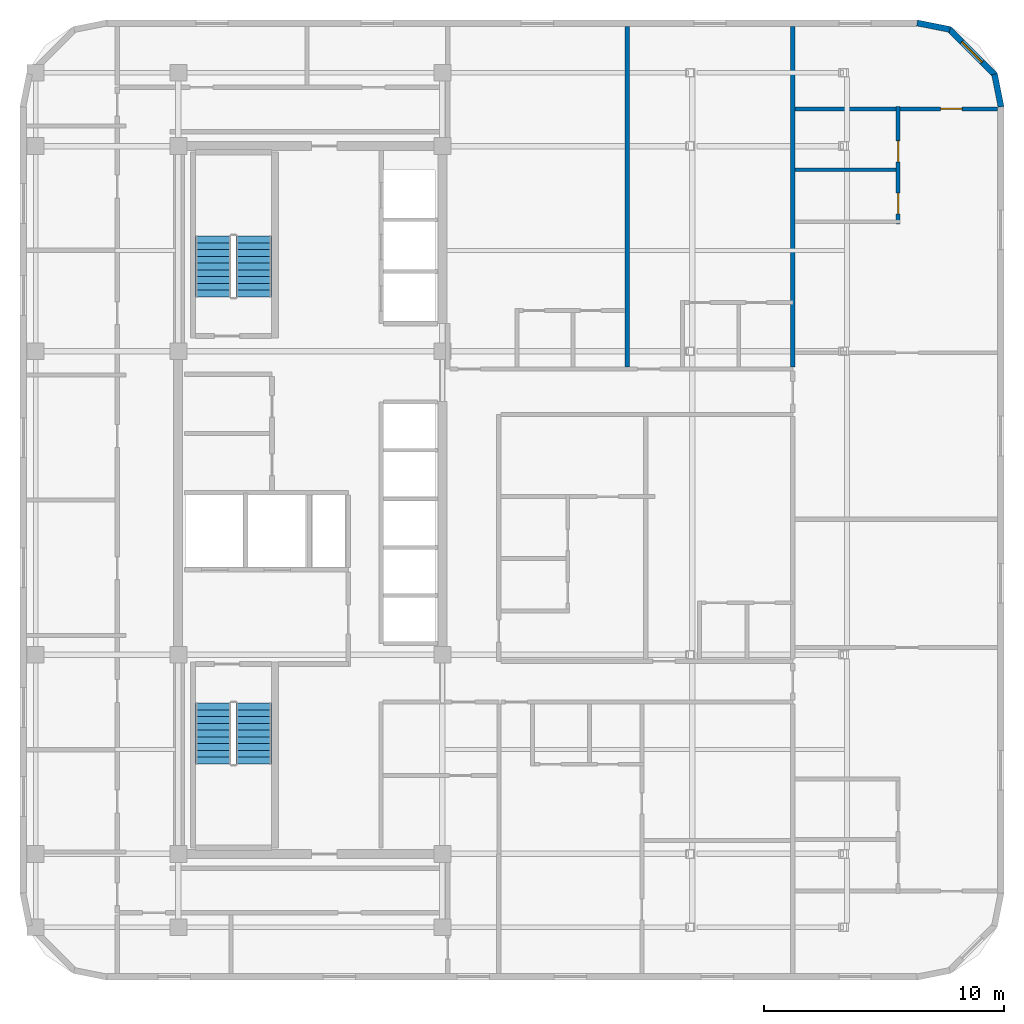
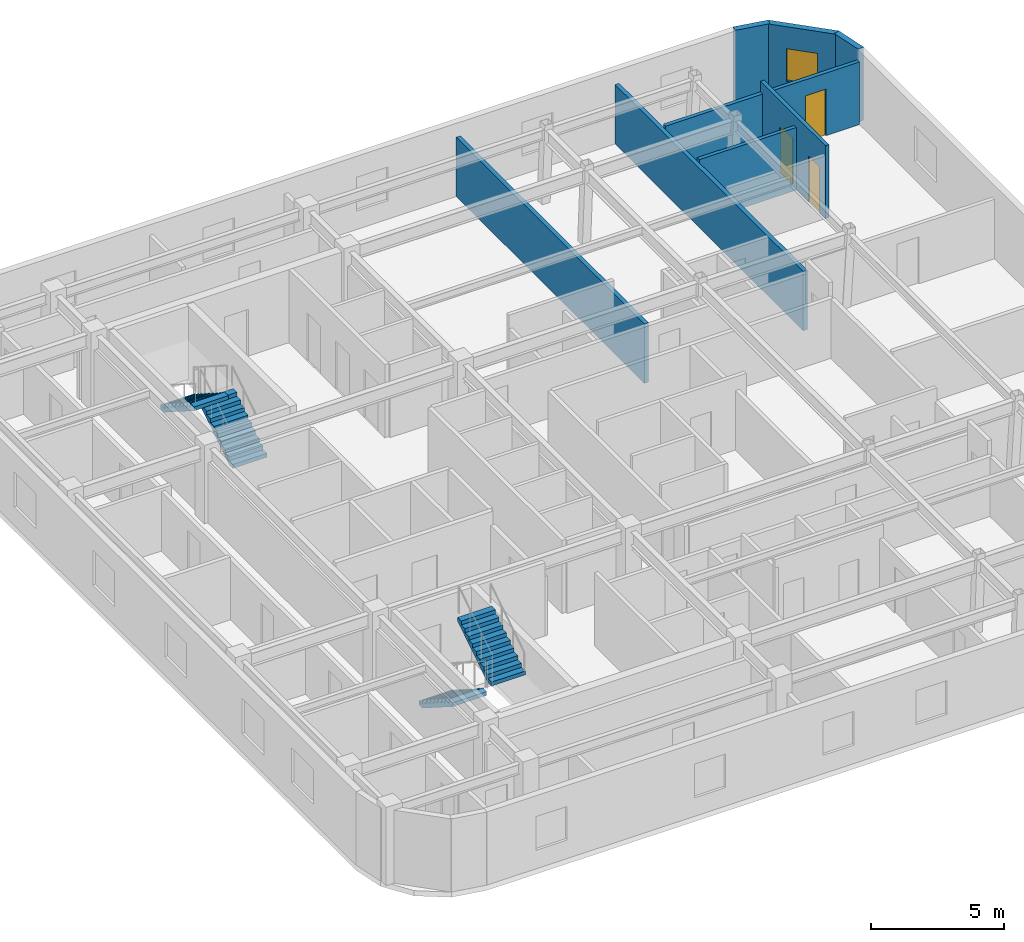
# One storey, part 7 of 8: 8 walls, 4 stair flights, 3 doors, 1 window, 4 openings, 2 elements without a shape of their own.
"""IFC4 building model written with IfcOpenShell, lengths in metres."""

import ifcopenshell
import ifcopenshell.guid

model = None  # the IFC model being written
_history = None  # IfcOwnerHistory: only IFC2X3 demands one
_inside = {}  # id of a spatial element -> (the spatial element, [elements in it])
_under = {}  # id of a project, library or spatial element -> (it, [spatial elements below it])
_declared = {}  # id of a project -> (the project, [libraries it declares])
_typed = {}  # id of a type object -> (the type object, [elements of that type])
_made_of = {}  # id of a material, layer set ... -> (it, [elements and type objects made of it])


def new_model(schema):
    """Start an empty IFC model of exactly this schema.

    Asked for "IFC4X3", IfcOpenShell would pick the latest addendum, in which some entities
    have other attributes; the version numbers below select the first issue.
    IFC2X3 requires an IfcOwnerHistory on every rooted entity: one is made here for all.
    """
    global model, _history
    if schema == "IFC4X3":
        model = ifcopenshell.file(schema_version=(4, 3, 0, 0))
    else:
        model = ifcopenshell.file(schema=schema)
    _inside.clear()
    _under.clear()
    _declared.clear()
    _typed.clear()
    _made_of.clear()
    _history = None
    if model.schema == "IFC2X3":
        org = make("IfcOrganization", Name="unknown")
        user = make(
            "IfcPersonAndOrganization",
            ThePerson=make("IfcPerson", FamilyName="unknown"),
            TheOrganization=org,
        )
        app = make(
            "IfcApplication",
            ApplicationDeveloper=org,
            Version="unknown",
            ApplicationFullName="unknown",
            ApplicationIdentifier="unknown",
        )
        _history = make(
            "IfcOwnerHistory",
            OwningUser=user,
            OwningApplication=app,
            ChangeAction="ADDED",
            CreationDate=0,
        )
    return model


def make(cls, **values):
    """One entity of the class cls with the attributes given. An attribute that is None is left unset."""
    return model.create_entity(
        cls, **{name: value for name, value in values.items() if value is not None}
    )


def rooted(cls, **values):
    """An entity with a GlobalId (a new one), such as an element, a storey or a relation."""
    return make(cls, GlobalId=ifcopenshell.guid.new(), OwnerHistory=_history, **values)


def si_unit(unit_type, name, prefix=None):
    """IfcSIUnit, for example si_unit("LENGTHUNIT", "METRE", prefix="MILLI")."""
    return make("IfcSIUnit", UnitType=unit_type, Prefix=prefix, Name=name)


def assignment(units):
    """IfcUnitAssignment: the units of a project."""
    return None if units is None else make("IfcUnitAssignment", Units=units)


def point(xyz):
    """IfcCartesianPoint."""
    return None if xyz is None else make("IfcCartesianPoint", Coordinates=xyz)


def direction(xyz):
    """IfcDirection."""
    return None if xyz is None else make("IfcDirection", DirectionRatios=xyz)


def frame(location, z_axis=None, x_axis=None):
    """IfcAxis2Placement3D, a coordinate frame: its origin and axes. An axis left out is left unset."""
    return make(
        "IfcAxis2Placement3D",
        Location=point(location),
        Axis=direction(z_axis),
        RefDirection=direction(x_axis),
    )


def frame_2d(location, x_axis=None):
    """IfcAxis2Placement2D, a coordinate frame in the plane: its origin and x axis."""
    return make(
        "IfcAxis2Placement2D", Location=point(location), RefDirection=direction(x_axis)
    )


def origin():
    """The frame at (0, 0, 0) with its axes left unset."""
    return frame((0.0, 0.0, 0.0))


def place(relative_to, where):
    """IfcLocalPlacement: puts the frame where relative to a parent placement (None: the world)."""
    return make(
        "IfcLocalPlacement", PlacementRelTo=relative_to, RelativePlacement=where
    )


def context(
    kind, dimensions, precision=None, world=None, true_north=None, identifier=None
):
    """IfcGeometricRepresentationContext, for example the 3D "Model" context."""
    return make(
        "IfcGeometricRepresentationContext",
        ContextIdentifier=identifier,
        ContextType=kind,
        CoordinateSpaceDimension=dimensions,
        Precision=precision,
        WorldCoordinateSystem=world,
        TrueNorth=true_north,
    )


def subcontext(parent, identifier, kind, view, scale=None):
    """IfcGeometricRepresentationSubContext, for example "Body" below "Model"."""
    return make(
        "IfcGeometricRepresentationSubContext",
        ContextIdentifier=identifier,
        ContextType=kind,
        ParentContext=parent,
        TargetScale=scale,
        TargetView=view,
    )


def project(units=None, contexts=None):
    """IfcProject with its units and contexts."""
    return rooted(
        "IfcProject",
        Name="project",
        RepresentationContexts=contexts,
        UnitsInContext=assignment(units),
    )


def spatial(cls, under=None, at=None, **own):
    """A site, building, storey or space (cls), placed at a placement, below another one or the project."""
    s = rooted(cls, ObjectPlacement=at, **own)
    if under is not None:
        _under.setdefault(under.id(), (under, []))[1].append(s)
    return s


def polyline(points):
    """IfcPolyline through the points."""
    return make("IfcPolyline", Points=[point(p) for p in points])


def profile(cls, at=None, kind="AREA", **sizes):
    """A parametric profile (cls). Its sizes go by their IFC names, for example OverallWidth=200.0."""
    return make(cls, ProfileType=kind, Position=at, **sizes)


def rectangle(**sizes):
    """IfcRectangleProfileDef."""
    return profile("IfcRectangleProfileDef", **sizes)


def outline(outer, holes=None, kind="AREA"):
    """IfcArbitraryClosedProfileDef: a profile drawn as a closed curve; with holes, ...WithVoids."""
    if holes is None:
        return make("IfcArbitraryClosedProfileDef", ProfileType=kind, OuterCurve=outer)
    return make(
        "IfcArbitraryProfileDefWithVoids",
        ProfileType=kind,
        OuterCurve=outer,
        InnerCurves=holes,
    )


def extrude(swept, where, along, depth):
    """IfcExtrudedAreaSolid: the profile swept, set in the frame where, extruded along a direction by depth."""
    return make(
        "IfcExtrudedAreaSolid",
        SweptArea=swept,
        Position=where,
        ExtrudedDirection=direction(along),
        Depth=depth,
    )


def shape(context_of_items, identifier, shape_type, items):
    """IfcShapeRepresentation: the items that make up one representation, for example the "Body"."""
    return make(
        "IfcShapeRepresentation",
        ContextOfItems=context_of_items,
        RepresentationIdentifier=identifier,
        RepresentationType=shape_type,
        Items=items,
    )


def material(Name=None, Category=None):
    """IfcMaterial."""
    return make("IfcMaterial", Name=Name, Category=Category)


def layer(
    of_material, thickness, ventilated=None, Name=None, Category=None, Priority=None
):
    """IfcMaterialLayer: one layer of a wall or slab, of a material (None: an air gap)."""
    return make(
        "IfcMaterialLayer",
        Material=of_material,
        LayerThickness=thickness,
        IsVentilated=ventilated,
        Name=Name,
        Category=Category,
        Priority=Priority,
    )


def layer_set(layers, Name=None):
    """IfcMaterialLayerSet."""
    return make("IfcMaterialLayerSet", MaterialLayers=layers, LayerSetName=Name)


def made_of(thing, what):
    """Note that an element or type object is made of a material, layer set ...; save() writes the relation."""
    if what is not None:
        _made_of.setdefault(what.id(), (what, []))[1].append(thing)
    return thing


def type_object(cls, material=None, **own):
    """A type object (cls), such as IfcWallType, which elements share."""
    return made_of(rooted(cls, **own), material)


def element(
    cls,
    number,
    at=None,
    inside=None,
    cuts=None,
    type_object=None,
    material=None,
    context=None,
    identifier="Body",
    shape_type=None,
    held_by="IfcProductDefinitionShape",
    body=None,
    shapes=None,
    **own,
):
    """One element of the class cls, such as IfcWall. Its Tag is "e" and its number.

    at: its placement. inside: the storey or other place that contains it. cuts: it is an
    opening in that element (IfcRelVoidsElement). A single representation is given by context,
    identifier, shape_type and body (its items); several are given by shapes. held_by: the class
    of the entity that holds the representations. save() writes the other relations.
    """
    e = rooted(cls, Tag="e%d" % number, ObjectPlacement=at, **own)
    if body is not None:
        shapes = [shape(context, identifier, shape_type, body)]
    if shapes is not None:
        e.Representation = make(held_by, Representations=shapes)
    if inside is not None:
        _inside.setdefault(inside.id(), (inside, []))[1].append(e)
    if cuts is not None:
        rooted(
            "IfcRelVoidsElement", RelatingBuildingElement=cuts, RelatedOpeningElement=e
        )
    if type_object is not None:
        _typed.setdefault(type_object.id(), (type_object, []))[1].append(e)
    return made_of(e, material)


def fill(opening, filler):
    """IfcRelFillsElement: the door or window that sits in an opening."""
    return rooted(
        "IfcRelFillsElement",
        RelatingOpeningElement=opening,
        RelatedBuildingElement=filler,
    )


def aggregate(whole, parts):
    """IfcRelAggregates: a whole, such as a stair, and the parts it consists of."""
    return rooted("IfcRelAggregates", RelatingObject=whole, RelatedObjects=parts)


def save(model, path):
    """Write the relations noted so far, then the file.

    IfcRelAggregates (storeys below a building ...), IfcRelContainedInSpatialStructure (elements
    in a storey), IfcRelDefinesByType, IfcRelAssociatesMaterial and IfcRelDeclares: one each for
    every whole, place, type object, material and project.
    """
    for whole, parts in _under.values():
        aggregate(whole, parts)
    for where, things in _inside.values():
        rooted(
            "IfcRelContainedInSpatialStructure",
            RelatedElements=things,
            RelatingStructure=where,
        )
    for kind, things in _typed.values():
        rooted("IfcRelDefinesByType", RelatedObjects=things, RelatingType=kind)
    for what, things in _made_of.values():
        rooted("IfcRelAssociatesMaterial", RelatedObjects=things, RelatingMaterial=what)
    for by, libraries in _declared.values():
        rooted("IfcRelDeclares", RelatingContext=by, RelatedDefinitions=libraries)
    model.write(path)


model = new_model("IFC4")

# Units and contexts
model_context = context("Model", 3, precision=1e-05, world=origin(), true_north=direction((0.0, 1.0)))
body_context = subcontext(model_context, "Body", "Model", "MODEL_VIEW")
ifc_project = project(units=[si_unit("LENGTHUNIT", "METRE"), si_unit("AREAUNIT", "SQUARE_METRE"), si_unit("VOLUMEUNIT", "CUBIC_METRE"), si_unit("PLANEANGLEUNIT", "RADIAN"), si_unit("MASSUNIT", "GRAM", prefix="KILO")], contexts=[model_context])

# Site, building, storey
site_placement = place(None, origin())
site = spatial("IfcSite", under=ifc_project, at=site_placement, CompositionType="ELEMENT")
building_placement = place(site_placement, origin())
building = spatial("IfcBuilding", under=site, at=building_placement, Name="Ochreholt Gables", CompositionType="ELEMENT")
storey_placement = place(building_placement, frame((0.0, 0.0, 159.0)))
storey = spatial("IfcBuildingStorey", under=building, at=storey_placement, Name="L41", CompositionType="ELEMENT", Elevation=159.0)

# Wall
ifc_material_1 = material(Name="Precast concrete 40 MPa", Category="concrete")
ifc_layer_1 = layer(ifc_material_1, 0.25, Name="Precast concrete 40 MPa")
ifc_layer_set_1 = layer_set([ifc_layer_1], Name="Precast concrete 40 MPa")
wall_type_1 = type_object("IfcWallType", Name="WALL-EXT-CNR", PredefinedType="SOLIDWALL", material=ifc_layer_set_1)
wall_1_placement = place(storey_placement, frame((58.475830078125, 40.383544921875, 0.0), z_axis=(0.0, 0.0, 1.0), x_axis=(-0.19496651342, 0.980809899341, 0.0)))
element("IfcWall", 1, at=wall_1_placement, inside=storey, type_object=wall_type_1, Name="L41 Rounded Corner Wall NE-1", PredefinedType="SOLIDWALL", context=body_context, shape_type="SweptSolid", body=[
    extrude(rectangle(XDim=1.388671875, YDim=0.25, at=frame_2d((0.6943359375, 0.0))), origin(), (0.0, 0.0, 1.0), 3.360107421875),
])

# Wall, opening, window
wall_2_placement = place(storey_placement, frame((58.23193359375, 41.695068359375, 0.0), z_axis=(0.0, 0.0, 1.0), x_axis=(-0.707106781187, 0.707106781187, 0.0)))
wall_2 = element("IfcWall", 2, at=wall_2_placement, inside=storey, type_object=wall_type_1, Name="L41 Rounded Corner Wall NE-2", PredefinedType="SOLIDWALL", context=body_context, shape_type="SweptSolid", body=[
    extrude(rectangle(XDim=2.7392578125, YDim=0.25, at=frame_2d((1.36962890625, 0.0))), origin(), (0.0, 0.0, 1.0), 3.360107421875),
])
opening_1_placement = place(wall_2_placement, frame((0.769775390625, 0.0, 0.85009765625)))
opening_1 = element("IfcOpeningElement", 3, at=opening_1_placement, cuts=wall_2, Name="Opening WN-3", PredefinedType="OPENING", context=body_context, shape_type="SweptSolid", body=[
    extrude(rectangle(XDim=1.199951171875, YDim=1.5, at=frame_2d((0.60009765625, 0.75))), frame((0.0, 0.135009765625, 0.0), z_axis=(0.0, -1.0, 0.0), x_axis=(1.0, 0.0, 0.0)), (0.0, 0.0, 1.0), 0.27001953125),
])
ifc_material_2 = material(Name="Triple-Glazed Thermally Broken Aluminium Window", Category="aluminium")
window_type = type_object("IfcWindowType", Name="WIN-RES-1200", PartitioningType="SINGLE_PANEL", PredefinedType="WINDOW", material=ifc_material_2)
window_placement = place(opening_1_placement, origin())
window = element("IfcWindow", 4, at=window_placement, inside=storey, type_object=window_type, Name="L41 Corner Bedroom Window NE", OverallHeight=1.5, OverallWidth=1.199951171875, PartitioningType="SINGLE_PANEL", PredefinedType="WINDOW", context=body_context, shape_type="SweptSolid", body=[
    extrude(rectangle(XDim=1.199951171875, YDim=1.5, at=frame_2d((0.60009765625, 0.75))), frame((0.0, 0.030029296875, 0.0), z_axis=(0.0, -1.0, 0.0), x_axis=(1.0, 0.0, 0.0)), (0.0, 0.0, 1.0), 0.06005859375),
])
fill(opening_1, window)

# Walls
wall_3_placement = place(storey_placement, frame((56.345458984375, 43.60498046875, 0.0), z_axis=(0.0, 0.0, 1.0), x_axis=(-0.980809899341, 0.19496651342, 0.0)))
element("IfcWall", 5, at=wall_3_placement, inside=storey, type_object=wall_type_1, Name="L41 Rounded Corner Wall NE-3", PredefinedType="SOLIDWALL", context=body_context, shape_type="SweptSolid", body=[
    extrude(rectangle(XDim=1.388671875, YDim=0.25, at=frame_2d((0.6943359375, 0.0))), origin(), (0.0, 0.0, 1.0), 3.360107421875),
])
ifc_material_3 = material(Name="Double-Stud Acoustic Demising Wall", Category="gypsum")
ifc_layer_2 = layer(ifc_material_3, 0.179931640625, Name="Double-Stud Acoustic Demising Wall")
ifc_layer_set_2 = layer_set([ifc_layer_2], Name="Double-Stud Acoustic Demising Wall")
wall_type_2 = type_object("IfcWallType", Name="WALL-INT-DM180", PredefinedType="PARTITIONING", material=ifc_layer_set_2)
for number, where, z_axis, x_axis, name in (
    (6, (42.897705078125, 29.550048828125, 0.0), (0.0, 0.0, 1.0), (0.0, 1.0, 0.0), "L41 Interior Wall WI-C2UDN-L41"),
    (7, (49.800048828125, 29.550048828125, 0.0), (0.0, 0.0, 1.0), (0.0, 1.0, 0.0), "L41 Interior Wall WI-C2FEW3-L41"),
):
    element("IfcWall", number, at=place(storey_placement, frame(where, z_axis=z_axis, x_axis=x_axis)), inside=storey, type_object=wall_type_2, Name=name, PredefinedType="PARTITIONING", context=body_context, shape_type="SweptSolid", body=[
        extrude(rectangle(XDim=14.169921875, YDim=0.179931640625, at=frame_2d((7.0849609375, 0.0))), origin(), (0.0, 0.0, 1.0), 2.72998046875),
    ])

# Wall, openings, doors
ifc_material_4 = material(Name="Moisture-Resistant Plumbing Chase Wall", Category="gypsum")
ifc_layer_3 = layer(ifc_material_4, 0.159912109375, Name="Moisture-Resistant Plumbing Chase Wall")
ifc_layer_set_3 = layer_set([ifc_layer_3], Name="Moisture-Resistant Plumbing Chase Wall")
wall_type_3 = type_object("IfcWallType", Name="WALL-INT-PL160", PredefinedType="PLUMBINGWALL", material=ifc_layer_set_3)
wall_4_placement = place(storey_placement, frame((54.18994140625, 35.5029296875, 0.0), z_axis=(0.0, 0.0, 1.0), x_axis=(0.0, 1.0, 0.0)))
wall_4 = element("IfcWall", 8, at=wall_4_placement, inside=storey, type_object=wall_type_3, Name="L41 Interior Wall WU-L41FEN-WX", PredefinedType="PLUMBINGWALL", context=body_context, shape_type="SweptSolid", body=[
    extrude(rectangle(XDim=4.886962890625, YDim=0.159912109375, at=frame_2d((2.443359375, 0.0))), origin(), (0.0, 0.0, 1.0), 3.360107421875),
])
opening_2_placement = place(wall_4_placement, frame((0.419921875, 0.0, 0.0)))
opening_2 = element("IfcOpeningElement", 9, at=opening_2_placement, cuts=wall_4, Name="Opening D-BT1", PredefinedType="OPENING", context=body_context, shape_type="SweptSolid", body=[
    extrude(rectangle(XDim=0.860107421875, YDim=2.1201171875, at=frame_2d((0.43017578125, 1.06005859375))), frame((0.0, 0.08984375, 0.0), z_axis=(0.0, -1.0, 0.0), x_axis=(1.0, 0.0, 0.0)), (0.0, 0.0, 1.0), 0.179931640625),
])
opening_3_placement = place(wall_4_placement, frame((2.585205078125, 0.0, 0.0)))
opening_3 = element("IfcOpeningElement", 10, at=opening_3_placement, cuts=wall_4, Name="Opening D-GN2", PredefinedType="OPENING", context=body_context, shape_type="SweptSolid", body=[
    extrude(rectangle(XDim=0.8798828125, YDim=2.1201171875, at=frame_2d((0.43994140625, 1.06005859375))), frame((0.0, 0.08984375, 0.0), z_axis=(0.0, -1.0, 0.0), x_axis=(1.0, 0.0, 0.0)), (0.0, 0.0, 1.0), 0.179931640625),
])
ifc_material_5 = material(Name="Engineered Oak Timber", Category="wood")
door_type_1 = type_object("IfcDoorType", Name="DR-INT-BTH860", OperationType="NOTDEFINED", PredefinedType="DOOR", material=ifc_material_5)
door_1_placement = place(opening_2_placement, origin())
door_1 = element("IfcDoor", 11, at=door_1_placement, inside=storey, type_object=door_type_1, Name="L41 Door D-U-L41FEN-BTH", OperationType="SINGLE_SWING_LEFT", OverallHeight=2.1201171875, OverallWidth=0.860107421875, PredefinedType="DOOR", context=body_context, shape_type="SweptSolid", body=[
    extrude(rectangle(XDim=0.860107421875, YDim=2.1201171875, at=frame_2d((0.43017578125, 1.06005859375))), frame((0.0, 0.02490234375, 0.0), z_axis=(0.0, -1.0, 0.0), x_axis=(1.0, 0.0, 0.0)), (0.0, 0.0, 1.0), 0.050048828125),
])
fill(opening_2, door_1)
door_type_2 = type_object("IfcDoorType", Name="DR-INT-GEN880", OperationType="NOTDEFINED", PredefinedType="DOOR", material=ifc_material_5)
door_2_placement = place(opening_3_placement, origin())
door_2 = element("IfcDoor", 12, at=door_2_placement, inside=storey, type_object=door_type_2, Name="L41 Door D-U-L41FEN-KIT", OperationType="SINGLE_SWING_RIGHT", OverallHeight=2.1201171875, OverallWidth=0.8798828125, PredefinedType="DOOR", context=body_context, shape_type="SweptSolid", body=[
    extrude(rectangle(XDim=0.8798828125, YDim=2.1201171875, at=frame_2d((0.43994140625, 1.06005859375))), frame((0.0, 0.02490234375, 0.0), z_axis=(0.0, -1.0, 0.0), x_axis=(1.0, 0.0, 0.0)), (0.0, 0.0, 1.0), 0.050048828125),
])
fill(opening_3, door_2)

# Wall
wall_5_placement = place(storey_placement, frame((49.889892578125, 37.75830078125, 0.0), z_axis=(0.0, 0.0, 1.0), x_axis=(1.0, 0.0, 0.0)))
element("IfcWall", 13, at=wall_5_placement, inside=storey, type_object=wall_type_3, Name="L41 Interior Wall WU-L41FEN-WK", PredefinedType="PLUMBINGWALL", context=body_context, shape_type="SweptSolid", body=[
    extrude(rectangle(XDim=4.22021484375, YDim=0.159912109375, at=frame_2d((2.110107421875, 0.0))), origin(), (0.0, 0.0, 1.0), 2.87890625),
])

# Wall, opening, door
ifc_material_6 = material(Name="Gypsum Acoustic Stud Partition", Category="gypsum")
ifc_layer_4 = layer(ifc_material_6, 0.1650390625, Name="Gypsum Acoustic Stud Partition")
ifc_layer_set_4 = layer_set([ifc_layer_4], Name="Gypsum Acoustic Stud Partition")
wall_type_4 = type_object("IfcWallType", Name="WALL-INT-PT165", PredefinedType="PARTITIONING", material=ifc_layer_set_4)
wall_6_placement = place(storey_placement, frame((49.889892578125, 40.300048828125, 0.0), z_axis=(0.0, 0.0, 1.0), x_axis=(1.0, 0.0, 0.0)))
wall_6 = element("IfcWall", 14, at=wall_6_placement, inside=storey, type_object=wall_type_4, Name="L41 Interior Wall WU-L41FEN-MN", PredefinedType="PARTITIONING", context=body_context, shape_type="SweptSolid", body=[
    extrude(rectangle(XDim=8.43017578125, YDim=0.1650390625, at=frame_2d((4.215087890625, 0.0))), origin(), (0.0, 0.0, 1.0), 2.87890625),
])
opening_4_placement = place(wall_6_placement, frame((6.070068359375, 0.0, 0.0)))
opening_4 = element("IfcOpeningElement", 15, at=opening_4_placement, cuts=wall_6, Name="Opening D-BD1", PredefinedType="OPENING", context=body_context, shape_type="SweptSolid", body=[
    extrude(rectangle(XDim=0.89990234375, YDim=2.139892578125, at=frame_2d((0.449951171875, 1.06982421875))), frame((0.0, 0.092529296875, 0.0), z_axis=(0.0, -1.0, 0.0), x_axis=(1.0, 0.0, 0.0)), (0.0, 0.0, 1.0), 0.18505859375),
])
door_type_3 = type_object("IfcDoorType", Name="DR-INT-BED900", OperationType="NOTDEFINED", PredefinedType="DOOR", material=ifc_material_5)
door_3_placement = place(opening_4_placement, origin())
door_3 = element("IfcDoor", 16, at=door_3_placement, inside=storey, type_object=door_type_3, Name="L41 Door D-U-L41FEN-BD1", OperationType="SINGLE_SWING_LEFT", OverallHeight=2.139892578125, OverallWidth=0.89990234375, PredefinedType="DOOR", context=body_context, shape_type="SweptSolid", body=[
    extrude(rectangle(XDim=0.89990234375, YDim=2.139892578125, at=frame_2d((0.449951171875, 1.06982421875))), frame((0.0, 0.02490234375, 0.0), z_axis=(0.0, -1.0, 0.0), x_axis=(1.0, 0.0, 0.0)), (0.0, 0.0, 1.0), 0.050048828125),
])
fill(opening_4, door_3)

# Stair, stair flights
ifc_material_7 = material(Name="Concrete 40 MPa", Category="concrete")
stair_type_1 = type_object("IfcStairType", Name="STAIR-CORE-ST-1", PredefinedType="HALF_TURN_STAIR", material=ifc_material_7)
stair_1_placement = place(storey_placement, origin())
stair_1 = element("IfcStair", 17, at=stair_1_placement, inside=storey, type_object=stair_type_1, Name="L41 Core Exit Stair 1", PredefinedType="HALF_TURN_STAIR")
stair_flight_type = type_object("IfcStairFlightType", Name="FLIGHT-ST-1480-1800", PredefinedType="STRAIGHT", material=ifc_material_7)
stair_flight_1_placement = place(storey_placement, frame((25.659912109375, 15.5400390625, 0.0), z_axis=(0.0, 0.0, 1.0), x_axis=(0.0, -1.0, 0.0)))
stair_flight_1 = element("IfcStairFlight", 18, at=stair_flight_1_placement, type_object=stair_flight_type, Name="ST-1 flight 1", NumberOfRisers=10, NumberOfTreads=9, PredefinedType="STRAIGHT", RiserHeight=0.18, TreadLength=0.282, context=body_context, shape_type="SweptSolid", body=[
    extrude(outline(polyline([(0.0, 0.0), (0.0, 0.179931640625), (0.281982421875, 0.179931640625), (0.281982421875, 0.360107421875), (0.56396484375, 0.360107421875), (0.56396484375, 0.5400390625), (0.845947265625, 0.5400390625), (0.845947265625, 0.719970703125), (1.1279296875, 0.719970703125), (1.1279296875, 0.89990234375), (1.409912109375, 0.89990234375), (1.409912109375, 1.080078125), (1.69189453125, 1.080078125), (1.69189453125, 1.260009765625), (1.97412109375, 1.260009765625), (1.97412109375, 1.43994140625), (2.256103515625, 1.43994140625), (2.256103515625, 1.6201171875), (2.5380859375, 1.6201171875), (2.5380859375, 1.800048828125), (2.5380859375, 1.442138671875), (0.278564453125, 0.0), (0.0, 0.0)])), frame((0.0, 0.739990234375, 0.0), z_axis=(0.0, -1.0, 0.0), x_axis=(1.0, 0.0, 0.0)), (0.0, 0.0, 1.0), 1.47998046875),
])
stair_flight_2_placement = place(storey_placement, frame((27.340087890625, 13.001953125, 1.800048828125), z_axis=(0.0, 0.0, 1.0), x_axis=(0.0, 1.0, 0.0)))
stair_flight_2 = element("IfcStairFlight", 19, at=stair_flight_2_placement, type_object=stair_flight_type, Name="ST-1 flight 2", NumberOfRisers=10, NumberOfTreads=9, PredefinedType="STRAIGHT", RiserHeight=0.18, TreadLength=0.282, context=body_context, shape_type="SweptSolid", body=[
    extrude(outline(polyline([(0.0, 0.0), (0.0, 0.179931640625), (0.281982421875, 0.179931640625), (0.281982421875, 0.360107421875), (0.56396484375, 0.360107421875), (0.56396484375, 0.5400390625), (0.845947265625, 0.5400390625), (0.845947265625, 0.719970703125), (1.1279296875, 0.719970703125), (1.1279296875, 0.89990234375), (1.409912109375, 0.89990234375), (1.409912109375, 1.080078125), (1.69189453125, 1.080078125), (1.69189453125, 1.260009765625), (1.97412109375, 1.260009765625), (1.97412109375, 1.43994140625), (2.256103515625, 1.43994140625), (2.256103515625, 1.6201171875), (2.5380859375, 1.6201171875), (2.5380859375, 1.800048828125), (2.5380859375, 1.442138671875), (0.278564453125, 0.0), (0.0, 0.0)])), frame((0.0, 0.739990234375, 0.0), z_axis=(0.0, -1.0, 0.0), x_axis=(1.0, 0.0, 0.0)), (0.0, 0.0, 1.0), 1.47998046875),
])
aggregate(stair_1, [stair_flight_1, stair_flight_2])

stair_type_2 = type_object("IfcStairType", Name="STAIR-CORE-ST-2", PredefinedType="HALF_TURN_STAIR", material=ifc_material_7)
stair_2_placement = place(storey_placement, origin())
stair_2 = element("IfcStair", 20, at=stair_2_placement, inside=storey, type_object=stair_type_2, Name="L41 Core Exit Stair 2", PredefinedType="HALF_TURN_STAIR")
stair_flight_3_placement = place(storey_placement, frame((27.340087890625, 32.4599609375, 0.0), z_axis=(0.0, 0.0, 1.0), x_axis=(0.0, 1.0, 0.0)))
stair_flight_3 = element("IfcStairFlight", 21, at=stair_flight_3_placement, type_object=stair_flight_type, Name="ST-2 flight 1", NumberOfRisers=10, NumberOfTreads=9, PredefinedType="STRAIGHT", RiserHeight=0.18, TreadLength=0.282, context=body_context, shape_type="SweptSolid", body=[
    extrude(outline(polyline([(0.0, 0.0), (0.0, 0.179931640625), (0.281982421875, 0.179931640625), (0.281982421875, 0.360107421875), (0.56396484375, 0.360107421875), (0.56396484375, 0.5400390625), (0.845947265625, 0.5400390625), (0.845947265625, 0.719970703125), (1.1279296875, 0.719970703125), (1.1279296875, 0.89990234375), (1.409912109375, 0.89990234375), (1.409912109375, 1.080078125), (1.69189453125, 1.080078125), (1.69189453125, 1.260009765625), (1.97412109375, 1.260009765625), (1.97412109375, 1.43994140625), (2.256103515625, 1.43994140625), (2.256103515625, 1.6201171875), (2.5380859375, 1.6201171875), (2.5380859375, 1.800048828125), (2.5380859375, 1.442138671875), (0.278564453125, 0.0), (0.0, 0.0)])), frame((0.0, 0.739990234375, 0.0), z_axis=(0.0, -1.0, 0.0), x_axis=(1.0, 0.0, 0.0)), (0.0, 0.0, 1.0), 1.47998046875),
])
stair_flight_4_placement = place(storey_placement, frame((25.659912109375, 34.998046875, 1.800048828125), z_axis=(0.0, 0.0, 1.0), x_axis=(0.0, -1.0, 0.0)))
stair_flight_4 = element("IfcStairFlight", 22, at=stair_flight_4_placement, type_object=stair_flight_type, Name="ST-2 flight 2", NumberOfRisers=10, NumberOfTreads=9, PredefinedType="STRAIGHT", RiserHeight=0.18, TreadLength=0.282, context=body_context, shape_type="SweptSolid", body=[
    extrude(outline(polyline([(0.0, 0.0), (0.0, 0.179931640625), (0.281982421875, 0.179931640625), (0.281982421875, 0.360107421875), (0.56396484375, 0.360107421875), (0.56396484375, 0.5400390625), (0.845947265625, 0.5400390625), (0.845947265625, 0.719970703125), (1.1279296875, 0.719970703125), (1.1279296875, 0.89990234375), (1.409912109375, 0.89990234375), (1.409912109375, 1.080078125), (1.69189453125, 1.080078125), (1.69189453125, 1.260009765625), (1.97412109375, 1.260009765625), (1.97412109375, 1.43994140625), (2.256103515625, 1.43994140625), (2.256103515625, 1.6201171875), (2.5380859375, 1.6201171875), (2.5380859375, 1.800048828125), (2.5380859375, 1.442138671875), (0.278564453125, 0.0), (0.0, 0.0)])), frame((0.0, 0.739990234375, 0.0), z_axis=(0.0, -1.0, 0.0), x_axis=(1.0, 0.0, 0.0)), (0.0, 0.0, 1.0), 1.47998046875),
])
aggregate(stair_2, [stair_flight_3, stair_flight_4])

save(model, "model.ifc")
